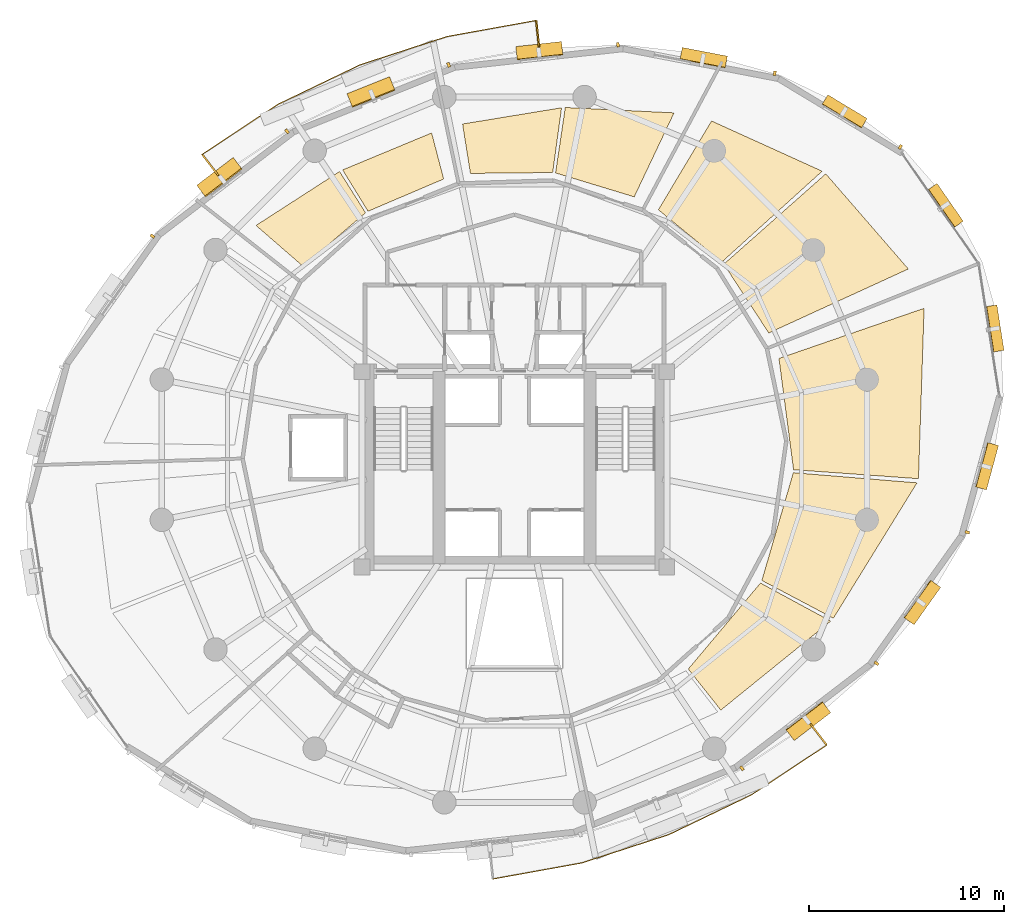
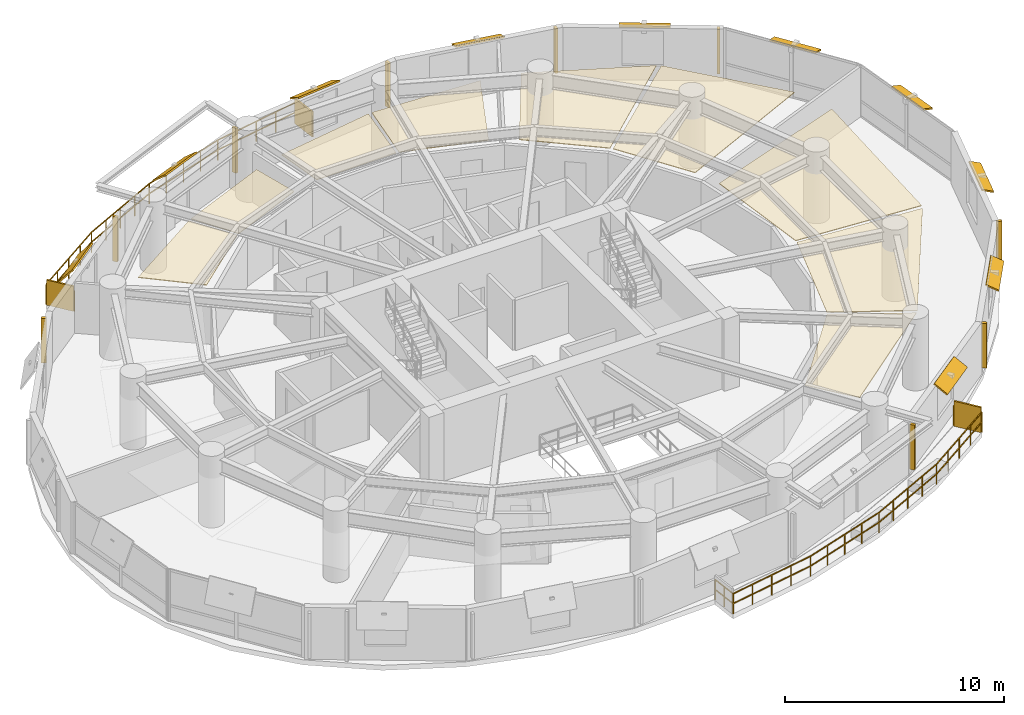
# One storey, part 14 of 14: 22 shading devices, 9 coverings, 2 railings.
"""IFC4 building model written with IfcOpenShell, lengths in metres."""

from ifc_helpers import new_model, si_unit, direction, frame, origin, origin_2d, place, context, subcontext, project, spatial, polyline, rectangle, outline, extrude, material, layer, layer_set, type_object, element, save


model = new_model("IFC4")

# Units and contexts
model_context = context("Model", 3, precision=1e-05, world=origin(), true_north=direction((0.0, 1.0)))
body_context = subcontext(model_context, "Body", "Model", "MODEL_VIEW")
ifc_project = project(units=[si_unit("LENGTHUNIT", "METRE"), si_unit("AREAUNIT", "SQUARE_METRE"), si_unit("VOLUMEUNIT", "CUBIC_METRE"), si_unit("PLANEANGLEUNIT", "RADIAN"), si_unit("MASSUNIT", "GRAM", prefix="KILO"), si_unit("THERMODYNAMICTEMPERATUREUNIT", "KELVIN"), si_unit("POWERUNIT", "WATT")], contexts=[model_context])

# Site, building, storey
site_placement = place(None, origin())
site = spatial("IfcSite", under=ifc_project, at=site_placement, CompositionType="ELEMENT")
building_placement = place(site_placement, origin())
building = spatial("IfcBuilding", under=site, at=building_placement, Name="Ocrelia Relay Tower", CompositionType="ELEMENT")
storey_placement = place(building_placement, frame((0.0, 0.0, 125.800048828125)))
storey = spatial("IfcBuildingStorey", under=building, at=storey_placement, Name="L29", CompositionType="ELEMENT", Elevation=125.800048828125)

# Coverings
ifc_material_1 = material(Name="Mineral-fiber acoustic ceiling tile", Category="gypsum")
ifc_layer_1 = layer(ifc_material_1, 0.0400390625, Name="Mineral-fiber acoustic ceiling tile")
ifc_layer_set_1 = layer_set([ifc_layer_1], Name="Mineral-fiber acoustic ceiling tile")
covering_type_1 = type_object("IfcCoveringType", Name="COV-CEIL-ACOUSTIC", PredefinedType="CEILING", material=ifc_layer_set_1)
covering_1_placement = place(storey_placement, frame((0.0, 0.0, 2.719970703125)))
element("IfcCovering", 1, at=covering_1_placement, inside=storey, type_object=covering_type_1, Name="L29 Technical Reference Library Suspended Ceiling 1", PredefinedType="CEILING", context=body_context, shape_type="SweptSolid", body=[
    extrude(outline(polyline([(47.01513671875, 31.972412109375), (54.158447265625, 35.25048828125), (49.93408203125, 40.1220703125), (44.716796875, 35.498046875), (47.01513671875, 31.972412109375)])), origin(), (0.0, 0.0, 1.0), 0.0400390625),
])
covering_2_placement = place(storey_placement, frame((0.0, 0.0, 2.719970703125)))
element("IfcCovering", 2, at=covering_2_placement, inside=storey, type_object=covering_type_1, Name="L29 Technical Reference Library Suspended Ceiling 2", PredefinedType="CEILING", context=body_context, shape_type="SweptSolid", body=[
    extrude(outline(polyline([(44.61669921875, 35.60986328125), (49.747802734375, 40.25439453125), (44.08984375, 42.825439453125), (41.364501953125, 38.281005859375), (44.61669921875, 35.60986328125)])), origin(), (0.0, 0.0, 1.0), 0.0400390625),
])
covering_3_placement = place(storey_placement, frame((0.0, 0.0, 2.719970703125)))
element("IfcCovering", 3, at=covering_3_placement, inside=storey, type_object=covering_type_1, Name="L29 Acoustic Media Room Suspended Ceiling 1", PredefinedType="CEILING", context=body_context, shape_type="SweptSolid", body=[
    extrude(outline(polyline([(40.131103515625, 38.941162109375), (42.16796875, 43.240478515625), (36.60205078125, 43.514892578125), (36.104248046875, 40.16455078125), (40.131103515625, 38.941162109375)])), origin(), (0.0, 0.0, 1.0), 0.0400390625),
])
covering_4_placement = place(storey_placement, frame((0.0, 0.0, 2.719970703125)))
element("IfcCovering", 4, at=covering_4_placement, inside=storey, type_object=covering_type_1, Name="L29 Acoustic Media Room Suspended Ceiling 2", PredefinedType="CEILING", context=body_context, shape_type="SweptSolid", body=[
    extrude(outline(polyline([(35.955810546875, 40.185791015625), (36.4130859375, 43.50244140625), (31.3447265625, 42.670654296875), (31.74755859375, 40.1416015625), (35.955810546875, 40.185791015625)])), origin(), (0.0, 0.0, 1.0), 0.0400390625),
])
covering_5_placement = place(storey_placement, frame((0.0, 0.0, 2.719970703125)))
element("IfcCovering", 5, at=covering_5_placement, inside=storey, type_object=covering_type_1, Name="L29 Staff Wellness Room Suspended Ceiling 1", PredefinedType="CEILING", context=body_context, shape_type="SweptSolid", body=[
    extrude(outline(polyline([(30.37841796875, 39.8544921875), (29.761962890625, 42.21240234375), (25.20751953125, 40.320068359375), (26.507080078125, 38.203369140625), (30.37841796875, 39.8544921875)])), origin(), (0.0, 0.0, 1.0), 0.0400390625),
])
covering_6_placement = place(storey_placement, frame((0.0, 0.0, 2.719970703125)))
element("IfcCovering", 6, at=covering_6_placement, inside=storey, type_object=covering_type_1, Name="L29 Staff Wellness Room Suspended Ceiling 2", PredefinedType="CEILING", context=body_context, shape_type="SweptSolid", body=[
    extrude(outline(polyline([(26.3798828125, 38.1240234375), (25.051025390625, 40.23828125), (20.772705078125, 37.47802734375), (23.184326171875, 35.38525390625), (26.3798828125, 38.1240234375)])), origin(), (0.0, 0.0, 1.0), 0.0400390625),
])
ifc_material_2 = material(Name="Cleanroom metal-pan acoustic ceiling", Category="aluminium")
ifc_layer_2 = layer(ifc_material_2, 0.0400390625, Name="Cleanroom metal-pan acoustic ceiling")
ifc_layer_set_2 = layer_set([ifc_layer_2], Name="Cleanroom metal-pan acoustic ceiling")
covering_type_2 = type_object("IfcCoveringType", Name="COV-CEIL-CLEAN", PredefinedType="CEILING", material=ifc_layer_set_2)
covering_7_placement = place(storey_placement, frame((0.0, 0.0, 2.719970703125)))
element("IfcCovering", 7, at=covering_7_placement, inside=storey, type_object=covering_type_2, Name="L29 Optical Switching Hall A Suspended Ceiling 2", PredefinedType="CEILING", context=body_context, shape_type="SweptSolid", body=[
    extrude(outline(polyline([(42.894775390625, 14.777587890625), (44.560791015625, 12.675537109375), (50.1865234375, 17.229736328125), (46.590576171875, 19.177978515625), (42.894775390625, 14.777587890625)])), origin(), (0.0, 0.0, 1.0), 0.0400390625),
])
covering_8_placement = place(storey_placement, frame((0.0, 0.0, 2.719970703125)))
element("IfcCovering", 8, at=covering_8_placement, inside=storey, type_object=covering_type_2, Name="L29 Optical Switching Hall A Suspended Ceiling 3", PredefinedType="CEILING", context=body_context, shape_type="SweptSolid", body=[
    extrude(outline(polyline([(46.661376953125, 19.310302734375), (50.322021484375, 17.376220703125), (54.602783203125, 24.30615234375), (48.271728515625, 24.82666015625), (46.661376953125, 19.310302734375)])), origin(), (0.0, 0.0, 1.0), 0.0400390625),
])
covering_9_placement = place(storey_placement, frame((0.0, 0.0, 2.719970703125)))
element("IfcCovering", 9, at=covering_9_placement, inside=storey, type_object=covering_type_2, Name="L29 Optical Switching Hall A Suspended Ceiling 4", PredefinedType="CEILING", context=body_context, shape_type="SweptSolid", body=[
    extrude(outline(polyline([(48.283447265625, 24.976318359375), (54.676513671875, 24.517822265625), (54.965087890625, 33.2392578125), (47.535888671875, 30.673828125), (48.283447265625, 24.976318359375)])), origin(), (0.0, 0.0, 1.0), 0.0400390625),
])

# Railings
ifc_material_3 = material(Name="Steel S355 balustrade", Category="steel")
railing_type = type_object("IfcRailingType", Name="RL-EXT-GUARD-1150", PredefinedType="GUARDRAIL", material=ifc_material_3)
railing_1_placement = place(storey_placement, frame((18.86669921875, 40.009033203125, 0.0)))
element("IfcRailing", 10, at=railing_1_placement, inside=storey, type_object=railing_type, Name="L29 Loggia Balcony Guard Rail B1", PredefinedType="GUARDRAIL", context=body_context, shape_type="SweptSolid", body=[
    extrude(rectangle(XDim=0.048095703125, YDim=0.048095703125, at=origin_2d()), frame((0.0, 0.0, 1.1259765625), z_axis=(-0.608821349335, 0.793307358212, 0.0), x_axis=(-0.793307358212, -0.608821349335, 0.0)), (0.0, 0.0, 1.0), 1.3935546875),
    extrude(rectangle(XDim=0.048095703125, YDim=0.048095703125, at=origin_2d()), frame((0.0, 0.0, 0.574951171875), z_axis=(-0.608821349335, 0.793307358212, 0.0), x_axis=(-0.793307358212, -0.608821349335, 0.0)), (0.0, 0.0, 1.0), 1.3935546875),
    extrude(rectangle(XDim=0.048095703125, YDim=0.048095703125, at=origin_2d()), frame((-0.848388671875, 1.10546875, 1.1259765625), z_axis=(0.834201091085, 0.551460369956, 0.0), x_axis=(-0.551460369956, 0.834201091085, 0.0)), (0.0, 0.0, 1.0), 2.31591796875),
    extrude(rectangle(XDim=0.048095703125, YDim=0.048095703125, at=origin_2d()), frame((-0.848388671875, 1.10546875, 0.574951171875), z_axis=(0.834201091085, 0.551460369956, 0.0), x_axis=(-0.551460369956, 0.834201091085, 0.0)), (0.0, 0.0, 1.0), 2.31591796875),
    extrude(rectangle(XDim=0.048095703125, YDim=0.048095703125, at=origin_2d()), frame((1.08349609375, 2.382568359375, 1.1259765625), z_axis=(0.834201091085, 0.551460369956, 0.0), x_axis=(-0.551460369956, 0.834201091085, 0.0)), (0.0, 0.0, 1.0), 2.31591796875),
    extrude(rectangle(XDim=0.048095703125, YDim=0.048095703125, at=origin_2d()), frame((1.08349609375, 2.382568359375, 0.574951171875), z_axis=(0.834201091085, 0.551460369956, 0.0), x_axis=(-0.551460369956, 0.834201091085, 0.0)), (0.0, 0.0, 1.0), 2.31591796875),
    extrude(rectangle(XDim=0.048095703125, YDim=0.048095703125, at=origin_2d()), frame((3.015380859375, 3.65966796875, 1.1259765625), z_axis=(0.901143535417, 0.433520851375, 0.0), x_axis=(-0.433520851375, 0.901143535417, 0.0)), (0.0, 0.0, 1.0), 4.68212890625),
    extrude(rectangle(XDim=0.048095703125, YDim=0.048095703125, at=origin_2d()), frame((3.015380859375, 3.65966796875, 0.574951171875), z_axis=(0.901143535417, 0.433520851375, 0.0), x_axis=(-0.433520851375, 0.901143535417, 0.0)), (0.0, 0.0, 1.0), 4.68212890625),
    extrude(rectangle(XDim=0.048095703125, YDim=0.048095703125, at=origin_2d()), frame((7.234619140625, 5.689453125, 1.1259765625), z_axis=(0.951008774503, 0.309163889902, 0.0), x_axis=(-0.309163889902, 0.951008774503, 0.0)), (0.0, 0.0, 1.0), 4.68212890625),
    extrude(rectangle(XDim=0.048095703125, YDim=0.048095703125, at=origin_2d()), frame((7.234619140625, 5.689453125, 0.574951171875), z_axis=(0.951008774503, 0.309163889902, 0.0), x_axis=(-0.309163889902, 0.951008774503, 0.0)), (0.0, 0.0, 1.0), 4.68212890625),
    extrude(rectangle(XDim=0.048095703125, YDim=0.048095703125, at=origin_2d()), frame((11.687255859375, 7.136962890625, 1.1259765625), z_axis=(0.98409682046, 0.177632902247, 0.0), x_axis=(-0.177632902247, 0.98409682046, 0.0)), (0.0, 0.0, 1.0), 2.31591796875),
    extrude(rectangle(XDim=0.048095703125, YDim=0.048095703125, at=origin_2d()), frame((11.687255859375, 7.136962890625, 0.574951171875), z_axis=(0.98409682046, 0.177632902247, 0.0), x_axis=(-0.177632902247, 0.98409682046, 0.0)), (0.0, 0.0, 1.0), 2.31591796875),
    extrude(rectangle(XDim=0.048095703125, YDim=0.048095703125, at=origin_2d()), frame((13.96630859375, 7.54833984375, 1.1259765625), z_axis=(0.984111920662, 0.177549225883, 0.0), x_axis=(-0.177549225883, 0.984111920662, 0.0)), (0.0, 0.0, 1.0), 2.315673828125),
    extrude(rectangle(XDim=0.048095703125, YDim=0.048095703125, at=origin_2d()), frame((13.96630859375, 7.54833984375, 0.574951171875), z_axis=(0.984111920662, 0.177549225883, 0.0), x_axis=(-0.177549225883, 0.984111920662, 0.0)), (0.0, 0.0, 1.0), 2.315673828125),
    extrude(rectangle(XDim=0.048095703125, YDim=0.048095703125, at=origin_2d()), frame((16.2451171875, 7.95947265625, 1.1259765625), z_axis=(0.107931186842, -0.994158367116, 0.0), x_axis=(0.994158367116, 0.107931186842, 0.0)), (0.0, 0.0, 1.0), 1.393310546875),
    extrude(rectangle(XDim=0.048095703125, YDim=0.048095703125, at=origin_2d()), frame((16.2451171875, 7.95947265625, 0.574951171875), z_axis=(0.107931186842, -0.994158367116, 0.0), x_axis=(0.994158367116, 0.107931186842, 0.0)), (0.0, 0.0, 1.0), 1.393310546875),
    extrude(rectangle(XDim=0.0419921875, YDim=0.0419921875, at=origin_2d()), origin(), (0.0, 0.0, 1.0), 1.101806640625),
    extrude(rectangle(XDim=0.0419921875, YDim=0.0419921875, at=origin_2d()), frame((-0.42431640625, 0.552734375, 0.0)), (0.0, 0.0, 1.0), 1.101806640625),
    extrude(rectangle(XDim=0.0419921875, YDim=0.0419921875, at=origin_2d()), frame((-0.848388671875, 1.10546875, 0.0)), (0.0, 0.0, 1.0), 1.101806640625),
    extrude(rectangle(XDim=0.0419921875, YDim=0.0419921875, at=origin_2d()), frame((0.11767578125, 1.744140625, 0.0)), (0.0, 0.0, 1.0), 1.101806640625),
    extrude(rectangle(XDim=0.0419921875, YDim=0.0419921875, at=origin_2d()), frame((1.08349609375, 2.382568359375, 0.0)), (0.0, 0.0, 1.0), 1.101806640625),
    extrude(rectangle(XDim=0.0419921875, YDim=0.0419921875, at=origin_2d()), frame((2.04931640625, 3.02099609375, 0.0)), (0.0, 0.0, 1.0), 1.101806640625),
    extrude(rectangle(XDim=0.0419921875, YDim=0.0419921875, at=origin_2d()), frame((3.015380859375, 3.65966796875, 0.0)), (0.0, 0.0, 1.0), 1.101806640625),
    extrude(rectangle(XDim=0.0419921875, YDim=0.0419921875, at=origin_2d()), frame((4.0703125, 4.1669921875, 0.0)), (0.0, 0.0, 1.0), 1.101806640625),
    extrude(rectangle(XDim=0.0419921875, YDim=0.0419921875, at=origin_2d()), frame((5.125, 4.674560546875, 0.0)), (0.0, 0.0, 1.0), 1.101806640625),
    extrude(rectangle(XDim=0.0419921875, YDim=0.0419921875, at=origin_2d()), frame((6.1796875, 5.18212890625, 0.0)), (0.0, 0.0, 1.0), 1.101806640625),
    extrude(rectangle(XDim=0.0419921875, YDim=0.0419921875, at=origin_2d()), frame((7.234619140625, 5.689453125, 0.0)), (0.0, 0.0, 1.0), 1.101806640625),
    extrude(rectangle(XDim=0.0419921875, YDim=0.0419921875, at=origin_2d()), frame((8.34765625, 6.05126953125, 0.0)), (0.0, 0.0, 1.0), 1.101806640625),
    extrude(rectangle(XDim=0.0419921875, YDim=0.0419921875, at=origin_2d()), frame((9.4609375, 6.4130859375, 0.0)), (0.0, 0.0, 1.0), 1.101806640625),
    extrude(rectangle(XDim=0.0419921875, YDim=0.0419921875, at=origin_2d()), frame((10.57421875, 6.775146484375, 0.0)), (0.0, 0.0, 1.0), 1.101806640625),
    extrude(rectangle(XDim=0.0419921875, YDim=0.0419921875, at=origin_2d()), frame((11.687255859375, 7.136962890625, 0.0)), (0.0, 0.0, 1.0), 1.101806640625),
    extrude(rectangle(XDim=0.0419921875, YDim=0.0419921875, at=origin_2d()), frame((12.82666015625, 7.3427734375, 0.0)), (0.0, 0.0, 1.0), 1.101806640625),
    extrude(rectangle(XDim=0.0419921875, YDim=0.0419921875, at=origin_2d()), frame((13.96630859375, 7.54833984375, 0.0)), (0.0, 0.0, 1.0), 1.101806640625),
    extrude(rectangle(XDim=0.0419921875, YDim=0.0419921875, at=origin_2d()), frame((15.105712890625, 7.75390625, 0.0)), (0.0, 0.0, 1.0), 1.101806640625),
    extrude(rectangle(XDim=0.0419921875, YDim=0.0419921875, at=origin_2d()), frame((16.2451171875, 7.95947265625, 0.0)), (0.0, 0.0, 1.0), 1.101806640625),
    extrude(rectangle(XDim=0.0419921875, YDim=0.0419921875, at=origin_2d()), frame((16.3203125, 7.266845703125, 0.0)), (0.0, 0.0, 1.0), 1.101806640625),
    extrude(rectangle(XDim=0.0419921875, YDim=0.0419921875, at=origin_2d()), frame((16.3955078125, 6.57421875, 0.0)), (0.0, 0.0, 1.0), 1.101806640625),
])
railing_2_placement = place(storey_placement, frame((49.13330078125, 11.990966796875, 0.0)))
element("IfcRailing", 11, at=railing_2_placement, inside=storey, type_object=railing_type, Name="L29 Loggia Balcony Guard Rail B2", PredefinedType="GUARDRAIL", context=body_context, shape_type="SweptSolid", body=[
    extrude(rectangle(XDim=0.048095703125, YDim=0.048095703125, at=origin_2d()), frame((0.0, 0.0, 1.1259765625), z_axis=(0.608821349335, -0.793307358212, 0.0), x_axis=(0.793307358212, 0.608821349335, 0.0)), (0.0, 0.0, 1.0), 1.3935546875),
    extrude(rectangle(XDim=0.048095703125, YDim=0.048095703125, at=origin_2d()), frame((0.0, 0.0, 0.574951171875), z_axis=(0.608821349335, -0.793307358212, 0.0), x_axis=(0.793307358212, 0.608821349335, 0.0)), (0.0, 0.0, 1.0), 1.3935546875),
    extrude(rectangle(XDim=0.048095703125, YDim=0.048095703125, at=origin_2d()), frame((0.848388671875, -1.10546875, 1.1259765625), z_axis=(-0.834201091085, -0.551460369956, 0.0), x_axis=(0.551460369956, -0.834201091085, 0.0)), (0.0, 0.0, 1.0), 2.31591796875),
    extrude(rectangle(XDim=0.048095703125, YDim=0.048095703125, at=origin_2d()), frame((0.848388671875, -1.10546875, 0.574951171875), z_axis=(-0.834201091085, -0.551460369956, 0.0), x_axis=(0.551460369956, -0.834201091085, 0.0)), (0.0, 0.0, 1.0), 2.31591796875),
    extrude(rectangle(XDim=0.048095703125, YDim=0.048095703125, at=origin_2d()), frame((-1.08349609375, -2.382568359375, 1.1259765625), z_axis=(-0.834201091085, -0.551460369956, 0.0), x_axis=(0.551460369956, -0.834201091085, 0.0)), (0.0, 0.0, 1.0), 2.31591796875),
    extrude(rectangle(XDim=0.048095703125, YDim=0.048095703125, at=origin_2d()), frame((-1.08349609375, -2.382568359375, 0.574951171875), z_axis=(-0.834201091085, -0.551460369956, 0.0), x_axis=(0.551460369956, -0.834201091085, 0.0)), (0.0, 0.0, 1.0), 2.31591796875),
    extrude(rectangle(XDim=0.048095703125, YDim=0.048095703125, at=origin_2d()), frame((-3.015380859375, -3.65966796875, 1.1259765625), z_axis=(-0.901143535417, -0.433520851375, 0.0), x_axis=(0.433520851375, -0.901143535417, 0.0)), (0.0, 0.0, 1.0), 4.68212890625),
    extrude(rectangle(XDim=0.048095703125, YDim=0.048095703125, at=origin_2d()), frame((-3.015380859375, -3.65966796875, 0.574951171875), z_axis=(-0.901143535417, -0.433520851375, 0.0), x_axis=(0.433520851375, -0.901143535417, 0.0)), (0.0, 0.0, 1.0), 4.68212890625),
    extrude(rectangle(XDim=0.048095703125, YDim=0.048095703125, at=origin_2d()), frame((-7.234619140625, -5.689453125, 1.1259765625), z_axis=(-0.951008774503, -0.309163889902, 0.0), x_axis=(0.309163889902, -0.951008774503, 0.0)), (0.0, 0.0, 1.0), 4.68212890625),
    extrude(rectangle(XDim=0.048095703125, YDim=0.048095703125, at=origin_2d()), frame((-7.234619140625, -5.689453125, 0.574951171875), z_axis=(-0.951008774503, -0.309163889902, 0.0), x_axis=(0.309163889902, -0.951008774503, 0.0)), (0.0, 0.0, 1.0), 4.68212890625),
    extrude(rectangle(XDim=0.048095703125, YDim=0.048095703125, at=origin_2d()), frame((-11.687255859375, -7.136962890625, 1.1259765625), z_axis=(-0.98409682046, -0.177632902247, 0.0), x_axis=(0.177632902247, -0.98409682046, 0.0)), (0.0, 0.0, 1.0), 2.31591796875),
    extrude(rectangle(XDim=0.048095703125, YDim=0.048095703125, at=origin_2d()), frame((-11.687255859375, -7.136962890625, 0.574951171875), z_axis=(-0.98409682046, -0.177632902247, 0.0), x_axis=(0.177632902247, -0.98409682046, 0.0)), (0.0, 0.0, 1.0), 2.31591796875),
    extrude(rectangle(XDim=0.048095703125, YDim=0.048095703125, at=origin_2d()), frame((-13.96630859375, -7.54833984375, 1.1259765625), z_axis=(-0.984111920662, -0.177549225883, 0.0), x_axis=(0.177549225883, -0.984111920662, 0.0)), (0.0, 0.0, 1.0), 2.315673828125),
    extrude(rectangle(XDim=0.048095703125, YDim=0.048095703125, at=origin_2d()), frame((-13.96630859375, -7.54833984375, 0.574951171875), z_axis=(-0.984111920662, -0.177549225883, 0.0), x_axis=(0.177549225883, -0.984111920662, 0.0)), (0.0, 0.0, 1.0), 2.315673828125),
    extrude(rectangle(XDim=0.048095703125, YDim=0.048095703125, at=origin_2d()), frame((-16.2451171875, -7.95947265625, 1.1259765625), z_axis=(-0.107931186842, 0.994158367116, 0.0), x_axis=(-0.994158367116, -0.107931186842, 0.0)), (0.0, 0.0, 1.0), 1.393310546875),
    extrude(rectangle(XDim=0.048095703125, YDim=0.048095703125, at=origin_2d()), frame((-16.2451171875, -7.95947265625, 0.574951171875), z_axis=(-0.107931186842, 0.994158367116, 0.0), x_axis=(-0.994158367116, -0.107931186842, 0.0)), (0.0, 0.0, 1.0), 1.393310546875),
    extrude(rectangle(XDim=0.0419921875, YDim=0.0419921875, at=origin_2d()), origin(), (0.0, 0.0, 1.0), 1.101806640625),
    extrude(rectangle(XDim=0.0419921875, YDim=0.0419921875, at=origin_2d()), frame((0.42431640625, -0.552734375, 0.0)), (0.0, 0.0, 1.0), 1.101806640625),
    extrude(rectangle(XDim=0.0419921875, YDim=0.0419921875, at=origin_2d()), frame((0.848388671875, -1.10546875, 0.0)), (0.0, 0.0, 1.0), 1.101806640625),
    extrude(rectangle(XDim=0.0419921875, YDim=0.0419921875, at=origin_2d()), frame((-0.11767578125, -1.744140625, 0.0)), (0.0, 0.0, 1.0), 1.101806640625),
    extrude(rectangle(XDim=0.0419921875, YDim=0.0419921875, at=origin_2d()), frame((-1.08349609375, -2.382568359375, 0.0)), (0.0, 0.0, 1.0), 1.101806640625),
    extrude(rectangle(XDim=0.0419921875, YDim=0.0419921875, at=origin_2d()), frame((-2.04931640625, -3.02099609375, 0.0)), (0.0, 0.0, 1.0), 1.101806640625),
    extrude(rectangle(XDim=0.0419921875, YDim=0.0419921875, at=origin_2d()), frame((-3.015380859375, -3.65966796875, 0.0)), (0.0, 0.0, 1.0), 1.101806640625),
    extrude(rectangle(XDim=0.0419921875, YDim=0.0419921875, at=origin_2d()), frame((-4.0703125, -4.1669921875, 0.0)), (0.0, 0.0, 1.0), 1.101806640625),
    extrude(rectangle(XDim=0.0419921875, YDim=0.0419921875, at=origin_2d()), frame((-5.125, -4.674560546875, 0.0)), (0.0, 0.0, 1.0), 1.101806640625),
    extrude(rectangle(XDim=0.0419921875, YDim=0.0419921875, at=origin_2d()), frame((-6.1796875, -5.18212890625, 0.0)), (0.0, 0.0, 1.0), 1.101806640625),
    extrude(rectangle(XDim=0.0419921875, YDim=0.0419921875, at=origin_2d()), frame((-7.234619140625, -5.689453125, 0.0)), (0.0, 0.0, 1.0), 1.101806640625),
    extrude(rectangle(XDim=0.0419921875, YDim=0.0419921875, at=origin_2d()), frame((-8.34765625, -6.05126953125, 0.0)), (0.0, 0.0, 1.0), 1.101806640625),
    extrude(rectangle(XDim=0.0419921875, YDim=0.0419921875, at=origin_2d()), frame((-9.4609375, -6.4130859375, 0.0)), (0.0, 0.0, 1.0), 1.101806640625),
    extrude(rectangle(XDim=0.0419921875, YDim=0.0419921875, at=origin_2d()), frame((-10.57421875, -6.775146484375, 0.0)), (0.0, 0.0, 1.0), 1.101806640625),
    extrude(rectangle(XDim=0.0419921875, YDim=0.0419921875, at=origin_2d()), frame((-11.687255859375, -7.136962890625, 0.0)), (0.0, 0.0, 1.0), 1.101806640625),
    extrude(rectangle(XDim=0.0419921875, YDim=0.0419921875, at=origin_2d()), frame((-12.82666015625, -7.3427734375, 0.0)), (0.0, 0.0, 1.0), 1.101806640625),
    extrude(rectangle(XDim=0.0419921875, YDim=0.0419921875, at=origin_2d()), frame((-13.96630859375, -7.54833984375, 0.0)), (0.0, 0.0, 1.0), 1.101806640625),
    extrude(rectangle(XDim=0.0419921875, YDim=0.0419921875, at=origin_2d()), frame((-15.105712890625, -7.75390625, 0.0)), (0.0, 0.0, 1.0), 1.101806640625),
    extrude(rectangle(XDim=0.0419921875, YDim=0.0419921875, at=origin_2d()), frame((-16.2451171875, -7.95947265625, 0.0)), (0.0, 0.0, 1.0), 1.101806640625),
    extrude(rectangle(XDim=0.0419921875, YDim=0.0419921875, at=origin_2d()), frame((-16.3203125, -7.266845703125, 0.0)), (0.0, 0.0, 1.0), 1.101806640625),
    extrude(rectangle(XDim=0.0419921875, YDim=0.0419921875, at=origin_2d()), frame((-16.3955078125, -6.57421875, 0.0)), (0.0, 0.0, 1.0), 1.101806640625),
])

# Shading devices
ifc_material_4 = material(Name="Perforated oxide terracotta solar screen", Category="masonry")
ifc_layer_3 = layer(ifc_material_4, 0.090087890625, Name="Perforated oxide terracotta solar screen")
ifc_layer_set_3 = layer_set([ifc_layer_3], Name="Perforated oxide terracotta solar screen")
shading_device_type_1 = type_object("IfcShadingDeviceType", Name="SH-BALC-SCREEN", PredefinedType="USERDEFINED", material=ifc_layer_set_3)
for number, where, z_axis, x_axis, name in (
    (12, (35.18701171875, 47.27587890625, 0.0), (0.0, 0.0, 1.0), (-0.107934287006, 0.994158030541, 0.0), "L29 Balcony Perforated Terracotta Screen B1-1"),
    (13, (18.442626953125, 40.561767578125, 0.0), (0.0, 0.0, 1.0), (-0.60885029462, 0.793285143402, 0.0), "L29 Balcony Perforated Terracotta Screen B1-2"),
    (14, (49.557373046875, 11.438232421875, 0.0), (0.0, 0.0, 1.0), (0.60885029462, -0.793285143402, 0.0), "L29 Balcony Perforated Terracotta Screen B2-2"),
):
    element("IfcShadingDevice", number, at=place(storey_placement, frame(where, z_axis=z_axis, x_axis=x_axis)), inside=storey, type_object=shading_device_type_1, Name=name, ObjectType="SCREEN", PredefinedType="USERDEFINED", context=body_context, shape_type="SweptSolid", body=[
        extrude(rectangle(XDim=1.340087890625, YDim=0.090087890625, at=origin_2d()), origin(), (0.0, 0.0, 1.0), 1.39990234375),
    ])
ifc_material_5 = material(Name="Extruded oxide terracotta vertical baguette", Category="masonry")
shading_device_type_2 = type_object("IfcShadingDeviceType", Name="SH-TERR-BAGUETTE", PredefinedType="USERDEFINED", material=ifc_material_5)
for number, where, z_axis, x_axis, name in (
    (15, (53.74658203125, 41.49609375, 0.199951171875), (0.0, 0.0, 1.0), (-0.855989468256, 0.51699325937, 0.0), "L29 Oxide Terracotta Vertical Baguette 02"),
    (16, (47.32080078125, 45.263427734375, 0.199951171875), (0.0, 0.0, 1.0), (-0.982064289784, 0.188546362284, 0.0), "L29 Oxide Terracotta Vertical Baguette 03"),
    (17, (39.29931640625, 46.720947265625, 0.199951171875), (0.0, 0.0, 1.0), (-0.994001836836, -0.10936337763, 0.0), "L29 Oxide Terracotta Vertical Baguette 04"),
    (18, (30.6337890625, 45.6943359375, 0.199951171875), (0.0, 0.0, 1.0), (-0.928159870713, -0.372181749146, 0.0), "L29 Oxide Terracotta Vertical Baguette 05"),
    (19, (22.359619140625, 42.2978515625, 0.199951171875), (0.0, 0.0, 1.0), (-0.79419056665, -0.607668778073, 0.0), "L29 Oxide Terracotta Vertical Baguette 06"),
    (20, (15.4755859375, 36.9287109375, 0.199951171875), (0.0, 0.0, 1.0), (-0.579735622714, -0.814804643922, 0.0), "L29 Oxide Terracotta Vertical Baguette 07"),
    (21, (45.640380859375, 9.7021484375, 0.199951171875), (0.0, 0.0, 1.0), (0.79419056665, 0.607668778073, 0.0), "L29 Oxide Terracotta Vertical Baguette 15"),
    (22, (52.5244140625, 15.0712890625, 0.199951171875), (0.0, 0.0, 1.0), (0.579735622714, 0.814804643922, 0.0), "L29 Oxide Terracotta Vertical Baguette 16"),
    (23, (57.17578125, 21.776611328125, 0.199951171875), (0.0, 0.0, 1.0), (0.261673095661, 0.965156562951, 0.0), "L29 Oxide Terracotta Vertical Baguette 17"),
):
    element("IfcShadingDevice", number, at=place(storey_placement, frame(where, z_axis=z_axis, x_axis=x_axis)), inside=storey, type_object=shading_device_type_2, Name=name, ObjectType="BAGUETTE", PredefinedType="USERDEFINED", context=body_context, shape_type="SweptSolid", body=[
        extrude(rectangle(XDim=0.139892578125, YDim=0.239990234375, at=origin_2d()), origin(), (0.0, 0.0, 1.0), 2.5),
    ])
ifc_material_6 = material(Name="Extruded oxide terracotta fin", Category="masonry")
ifc_layer_4 = layer(ifc_material_6, 0.080078125, Name="Extruded oxide terracotta fin")
ifc_layer_set_4 = layer_set([ifc_layer_4], Name="Extruded oxide terracotta fin")
shading_device_type_3 = type_object("IfcShadingDeviceType", Name="SH-VISOR-FIN-MED", PredefinedType="USERDEFINED", material=ifc_layer_set_4)
shading_device_1_placement = place(storey_placement, frame((26.669677734375, 44.28125, 2.709716796875), z_axis=(-0.242600616035, 0.605005906202, 0.758361915289), x_axis=(-0.928159870713, -0.372181749146, 0.0)))
element("IfcShadingDevice", 24, at=shading_device_1_placement, inside=storey, type_object=shading_device_type_3, Name="L29 Canted Terracotta Sun-Visor Fin 05", ObjectType="FIN", PredefinedType="USERDEFINED", context=body_context, shape_type="SweptSolid", body=[
    extrude(rectangle(XDim=2.35009765625, YDim=0.927978515625, at=origin_2d()), origin(), (0.0, 0.0, 1.0), 0.080078125),
])
shading_device_2_placement = place(storey_placement, frame((18.9208984375, 39.919189453125, 2.71484375), z_axis=(-0.472914063108, 0.618073367119, 0.627963057649), x_axis=(-0.79419056665, -0.607668778073, 0.0)))
element("IfcShadingDevice", 25, at=shading_device_2_placement, inside=storey, type_object=shading_device_type_3, Name="L29 Canted Terracotta Sun-Visor Fin 06", ObjectType="FIN", PredefinedType="USERDEFINED", context=body_context, shape_type="SweptSolid", body=[
    extrude(rectangle(XDim=2.35009765625, YDim=1.10205078125, at=origin_2d()), origin(), (0.0, 0.0, 1.0), 0.080078125),
])
shading_device_3_placement = place(storey_placement, frame((49.0224609375, 12.13134765625, 2.706298828125), z_axis=(0.330070154282, -0.431384024196, 0.839619864534), x_axis=(0.79419056665, 0.607668778073, 0.0)))
element("IfcShadingDevice", 26, at=shading_device_3_placement, inside=storey, type_object=shading_device_type_3, Name="L29 Canted Terracotta Sun-Visor Fin 15", ObjectType="FIN", PredefinedType="USERDEFINED", context=body_context, shape_type="SweptSolid", body=[
    extrude(rectangle(XDim=2.35009765625, YDim=0.798095703125, at=origin_2d()), origin(), (0.0, 0.0, 1.0), 0.080078125),
])
ifc_layer_5 = layer(ifc_material_6, 0.080078125, Name="Extruded oxide terracotta fin")
ifc_layer_set_5 = layer_set([ifc_layer_5], Name="Extruded oxide terracotta fin")
shading_device_type_4 = type_object("IfcShadingDeviceType", Name="SH-VISOR-FIN-SHAL", PredefinedType="USERDEFINED", material=ifc_layer_set_5)
shading_device_4_placement = place(storey_placement, frame((56.06005859375, 38.499267578125, 2.701904296875), z_axis=(0.254778866536, 0.177204715421, 0.950624120249), x_axis=(-0.570993357289, 0.820954679585, 0.0)))
element("IfcShadingDevice", 27, at=shading_device_4_placement, inside=storey, type_object=shading_device_type_4, Name="L29 Canted Terracotta Sun-Visor Fin 01", ObjectType="FIN", PredefinedType="USERDEFINED", context=body_context, shape_type="SweptSolid", body=[
    extrude(rectangle(XDim=2.35009765625, YDim=0.551025390625, at=origin_2d()), origin(), (0.0, 0.0, 1.0), 0.080078125),
])
shading_device_5_placement = place(storey_placement, frame((50.890625, 43.30224609375, 2.7021484375), z_axis=(0.173001114155, 0.286439192444, 0.94234983076), x_axis=(-0.855989468256, 0.51699325937, 0.0)))
element("IfcShadingDevice", 28, at=shading_device_5_placement, inside=storey, type_object=shading_device_type_4, Name="L29 Canted Terracotta Sun-Visor Fin 02", ObjectType="FIN", PredefinedType="USERDEFINED", context=body_context, shape_type="SweptSolid", body=[
    extrude(rectangle(XDim=2.35009765625, YDim=0.575927734375, at=origin_2d()), origin(), (0.0, 0.0, 1.0), 0.080078125),
])
shading_device_6_placement = place(storey_placement, frame((43.6826171875, 46.045166015625, 2.703125), z_axis=(0.074910989982, 0.3901820607, 0.917685296323), x_axis=(-0.982064289784, 0.188546362284, 0.0)))
element("IfcShadingDevice", 29, at=shading_device_6_placement, inside=storey, type_object=shading_device_type_4, Name="L29 Canted Terracotta Sun-Visor Fin 03", ObjectType="FIN", PredefinedType="USERDEFINED", context=body_context, shape_type="SweptSolid", body=[
    extrude(rectangle(XDim=2.35009765625, YDim=0.639892578125, at=origin_2d()), origin(), (0.0, 0.0, 1.0), 0.080078125),
])
shading_device_7_placement = place(storey_placement, frame((35.278076171875, 46.395751953125, 2.70556640625), z_axis=(-0.055538998979, 0.504792995582, 0.861451943641), x_axis=(-0.994001836836, -0.10936337763, 0.0)))
element("IfcShadingDevice", 30, at=shading_device_7_placement, inside=storey, type_object=shading_device_type_4, Name="L29 Canted Terracotta Sun-Visor Fin 04", ObjectType="FIN", PredefinedType="USERDEFINED", context=body_context, shape_type="SweptSolid", body=[
    extrude(rectangle(XDim=2.35009765625, YDim=0.759033203125, at=origin_2d()), origin(), (0.0, 0.0, 1.0), 0.080078125),
])
shading_device_8_placement = place(storey_placement, frame((54.85595703125, 18.195068359375, 2.703857421875), z_axis=(0.346798263099, -0.246747865901, 0.90490135119), x_axis=(0.579735622714, 0.814804643922, 0.0)))
element("IfcShadingDevice", 31, at=shading_device_8_placement, inside=storey, type_object=shading_device_type_4, Name="L29 Canted Terracotta Sun-Visor Fin 16", ObjectType="FIN", PredefinedType="USERDEFINED", context=body_context, shape_type="SweptSolid", body=[
    extrude(rectangle(XDim=2.35009765625, YDim=0.669921875, at=origin_2d()), origin(), (0.0, 0.0, 1.0), 0.080078125),
])
shading_device_9_placement = place(storey_placement, frame((58.16943359375, 25.160400390625, 2.70263671875), z_axis=(0.339897616832, -0.092152988456, 0.935936662809), x_axis=(0.261673095661, 0.965156562951, 0.0)))
element("IfcShadingDevice", 32, at=shading_device_9_placement, inside=storey, type_object=shading_device_type_4, Name="L29 Canted Terracotta Sun-Visor Fin 17", ObjectType="FIN", PredefinedType="USERDEFINED", context=body_context, shape_type="SweptSolid", body=[
    extrude(rectangle(XDim=2.35009765625, YDim=0.593994140625, at=origin_2d()), origin(), (0.0, 0.0, 1.0), 0.080078125),
])
shading_device_10_placement = place(storey_placement, frame((58.5859375, 32.204833984375, 2.701904296875), z_axis=(0.31235576898, 0.04880630698, 0.948710608133), x_axis=(-0.154379097489, 0.988011687309, 0.0)))
element("IfcShadingDevice", 33, at=shading_device_10_placement, inside=storey, type_object=shading_device_type_4, Name="L29 Canted Terracotta Sun-Visor Fin 18", ObjectType="FIN", PredefinedType="USERDEFINED", context=body_context, shape_type="SweptSolid", body=[
    extrude(rectangle(XDim=2.35009765625, YDim=0.556884765625, at=origin_2d()), origin(), (0.0, 0.0, 1.0), 0.080078125),
])

save(model, "model.ifc")
